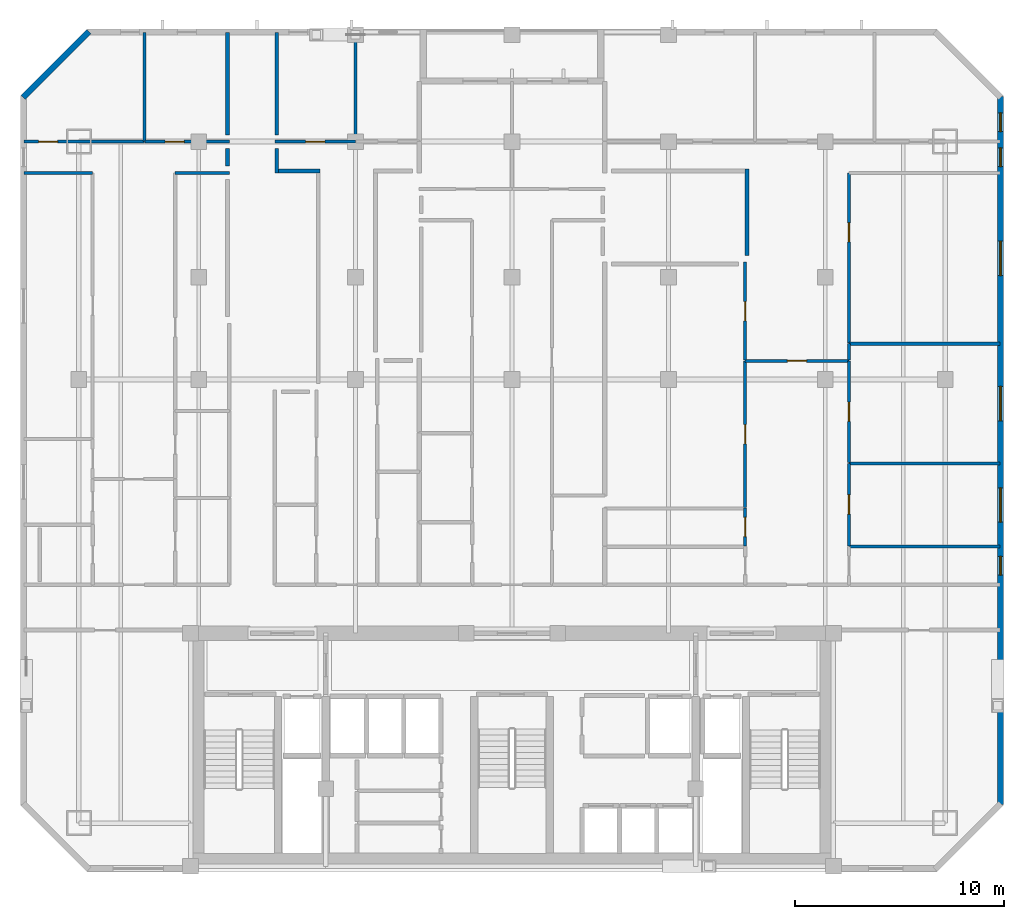
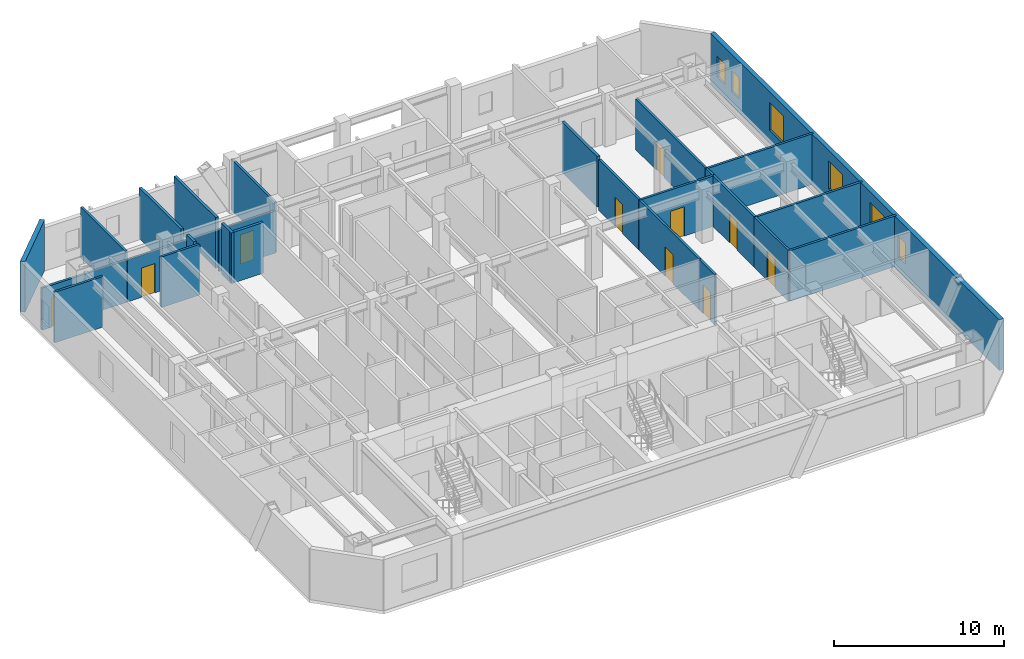
# One storey, part 6 of 9: 26 walls, 10 doors, 6 windows, 16 openings.
"""IFC4 building model written with IfcOpenShell, lengths in metres."""

from ifc_helpers import new_model, si_unit, direction, frame, frame_2d, origin, place, context, subcontext, project, spatial, rectangle, extrude, material, layer, layer_set, type_object, element, fill, save


model = new_model("IFC4")

# Units and contexts
model_context = context("Model", 3, precision=1e-05, world=origin(), true_north=direction((0.0, 1.0)))
body_context = subcontext(model_context, "Body", "Model", "MODEL_VIEW")
ifc_project = project(units=[si_unit("LENGTHUNIT", "METRE"), si_unit("AREAUNIT", "SQUARE_METRE"), si_unit("VOLUMEUNIT", "CUBIC_METRE"), si_unit("PLANEANGLEUNIT", "RADIAN"), si_unit("MASSUNIT", "GRAM", prefix="KILO")], contexts=[model_context])

# Site, building, storey
site_placement = place(None, origin())
site = spatial("IfcSite", under=ifc_project, at=site_placement, CompositionType="ELEMENT")
building_placement = place(site_placement, origin())
building = spatial("IfcBuilding", under=site, at=building_placement, Name="Ventersveld Concourse Tower", CompositionType="ELEMENT")
storey_placement = place(building_placement, frame((0.0, 0.0, 172.14990234375)))
storey = spatial("IfcBuildingStorey", under=building, at=storey_placement, Name="L42", CompositionType="ELEMENT", Elevation=172.14990234375)

# Walls
ifc_material_1 = material(Name="Fire-rated autoclaved aerated masonry blockwork", Category="masonry")
ifc_layer_1 = layer(ifc_material_1, 0.179931640625)
ifc_layer_set_1 = layer_set([ifc_layer_1], Name="Fire-rated autoclaved aerated masonry blockwork")
wall_type_1 = type_object("IfcWallType", Name="WL-CORR-180", PredefinedType="PARTITIONING", material=ifc_layer_set_1)
wall_1_placement = place(storey_placement, frame((15.1201171875, 34.675048828125, 0.0), z_axis=(0.0, 0.0, 1.0), x_axis=(0.0, -1.0, 0.0)))
element("IfcWall", 1, at=wall_1_placement, inside=storey, type_object=wall_type_1, Name="L42 Room Enclosure Wall SP-L42-42NW-LIV", PredefinedType="PARTITIONING", context=body_context, shape_type="SweptSolid", body=[
    extrude(rectangle(XDim=0.85009765625, YDim=0.179931640625, at=frame_2d((0.425048828125, 0.0))), origin(), (0.0, 0.0, 1.0), 3.630126953125),
])
wall_2_placement = place(storey_placement, frame((15.1201171875, 40.2275390625, 0.0), z_axis=(0.0, 0.0, 1.0), x_axis=(0.0, -1.0, 0.0)))
element("IfcWall", 2, at=wall_2_placement, inside=storey, type_object=wall_type_1, Name="L42 Room Enclosure Wall SP-L42-42NW-BR2", PredefinedType="PARTITIONING", context=body_context, shape_type="SweptSolid", body=[
    extrude(rectangle(XDim=4.902587890625, YDim=0.179931640625, at=frame_2d((2.451171875, 0.0))), origin(), (0.0, 0.0, 1.0), 3.630126953125),
])
wall_3_placement = place(storey_placement, frame((19.560791015625, 33.590087890625, 0.0), z_axis=(0.0, 0.0, 1.0), x_axis=(-1.0, 0.0, 0.0)))
element("IfcWall", 3, at=wall_3_placement, inside=storey, type_object=wall_type_1, Name="L42 Room Enclosure Wall SP-L42-42CW-LIV", PredefinedType="PARTITIONING", context=body_context, shape_type="SweptSolid", body=[
    extrude(rectangle(XDim=2.17578125, YDim=0.179931640625, at=frame_2d((1.087890625, 0.0))), origin(), (0.0, 0.0, 1.0), 3.630126953125),
])
wall_4_placement = place(storey_placement, frame((17.47998046875, 33.4951171875, 0.0), z_axis=(0.0, 0.0, 1.0), x_axis=(0.0, 1.0, 0.0)))
element("IfcWall", 4, at=wall_4_placement, inside=storey, type_object=wall_type_1, Name="L42 Room Enclosure Wall SP-L42-42CW-LIV", PredefinedType="PARTITIONING", context=body_context, shape_type="SweptSolid", body=[
    extrude(rectangle(XDim=1.179931640625, YDim=0.179931640625, at=frame_2d((0.58984375, 0.0))), origin(), (0.0, 0.0, 1.0), 3.630126953125),
])
wall_5_placement = place(storey_placement, frame((17.47998046875, 35.324951171875, 0.0), z_axis=(0.0, 0.0, 1.0), x_axis=(0.0, 1.0, 0.0)))
element("IfcWall", 5, at=wall_5_placement, inside=storey, type_object=wall_type_1, Name="L42 Room Enclosure Wall SP-L42-42CW-BR1", PredefinedType="PARTITIONING", context=body_context, shape_type="SweptSolid", body=[
    extrude(rectangle(XDim=4.902587890625, YDim=0.179931640625, at=frame_2d((2.451171875, 0.0))), origin(), (0.0, 0.0, 1.0), 3.630126953125),
])
wall_6_placement = place(storey_placement, frame((40.00537109375, 29.541259765625, 0.0), z_axis=(0.0, 0.0, 1.0), x_axis=(0.0, 1.0, 0.0)))
element("IfcWall", 6, at=wall_6_placement, inside=storey, type_object=wall_type_1, Name="L42 Room Enclosure Wall SP-L42-42CE-LIV", PredefinedType="PARTITIONING", context=body_context, shape_type="SweptSolid", body=[
    extrude(rectangle(XDim=4.143798828125, YDim=0.179931640625, at=frame_2d((2.07177734375, 0.0))), origin(), (0.0, 0.0, 1.0), 3.630126953125),
])
ifc_material_2 = material(Name="Autoclaved aerated masonry blockwork", Category="masonry")
ifc_layer_2 = layer(ifc_material_2, 0.14990234375)
ifc_layer_set_2 = layer_set([ifc_layer_2], Name="Autoclaved aerated masonry blockwork")
wall_type_2 = type_object("IfcWallType", Name="WL-INT-150", PredefinedType="PARTITIONING", material=ifc_layer_set_2)
wall_7_placement = place(storey_placement, frame((5.37255859375, 33.5, 0.0), z_axis=(0.0, 0.0, 1.0), x_axis=(1.0, 0.0, 0.0)))
element("IfcWall", 7, at=wall_7_placement, inside=storey, type_object=wall_type_2, Name="L42 Interior Partition SP-L42-42NW-LIV-SP-L42-42NW-MEDL2", PredefinedType="PARTITIONING", context=body_context, shape_type="SweptSolid", body=[
    extrude(rectangle(XDim=3.291259765625, YDim=0.14990234375, at=frame_2d((1.6455078125, 0.0))), origin(), (0.0, 0.0, 1.0), 3.630126953125),
])
wall_8_placement = place(storey_placement, frame((12.61376953125, 33.5, 0.0), z_axis=(0.0, 0.0, 1.0), x_axis=(1.0, 0.0, 0.0)))
element("IfcWall", 8, at=wall_8_placement, inside=storey, type_object=wall_type_2, Name="L42 Interior Partition SP-L42-42NW-LIV-SP-L42-42NW-DENR", PredefinedType="PARTITIONING", context=body_context, shape_type="SweptSolid", body=[
    extrude(rectangle(XDim=2.601318359375, YDim=0.14990234375, at=frame_2d((1.30078125, 0.0))), origin(), (0.0, 0.0, 1.0), 3.630126953125),
])

# Wall, opening, door
wall_9_placement = place(storey_placement, frame((5.37255859375, 35.0, 0.0), z_axis=(0.0, 0.0, 1.0), x_axis=(1.0, 0.0, 0.0)))
wall_9 = element("IfcWall", 9, at=wall_9_placement, inside=storey, type_object=wall_type_2, Name="L42 Interior Partition SP-L42-42NW-LIV-SP-L42-42NW-BR1", PredefinedType="PARTITIONING", context=body_context, shape_type="SweptSolid", body=[
    extrude(rectangle(XDim=5.771240234375, YDim=0.14990234375, at=frame_2d((2.8857421875, 0.0))), origin(), (0.0, 0.0, 1.0), 3.012939453125),
])
opening_1_placement = place(wall_9_placement, frame((0.6943359375, 0.0, 0.0)))
opening_1 = element("IfcOpeningElement", 10, at=opening_1_placement, cuts=wall_9, Name="Opening ID1", PredefinedType="OPENING", context=body_context, shape_type="SweptSolid", body=[
    extrude(rectangle(XDim=0.919921875, YDim=2.10009765625, at=frame_2d((0.4599609375, 1.050048828125))), frame((0.0, 0.0849609375, 0.0), z_axis=(0.0, -1.0, 0.0), x_axis=(1.0, 0.0, 0.0)), (0.0, 0.0, 1.0), 0.169921875),
])
ifc_material_3 = material(Name="Solid-core hardwood veneer timber", Category="wood")
door_type = type_object("IfcDoorType", Name="DR-ROOM-092", OperationType="NOTDEFINED", PredefinedType="DOOR", material=ifc_material_3)
door_1_placement = place(opening_1_placement, origin())
door_1 = element("IfcDoor", 11, at=door_1_placement, inside=storey, type_object=door_type, Name="L42 Interior Door SP-L42-42NW-LIV to SP-L42-42NW-BR1 (D-L42-2065)", OperationType="SINGLE_SWING_LEFT", OverallHeight=2.10009765625, OverallWidth=0.919921875, PredefinedType="DOOR", context=body_context, shape_type="SweptSolid", body=[
    extrude(rectangle(XDim=0.919921875, YDim=2.10009765625, at=frame_2d((0.4599609375, 1.050048828125))), frame((0.0, 0.02490234375, 0.0), z_axis=(0.0, -1.0, 0.0), x_axis=(1.0, 0.0, 0.0)), (0.0, 0.0, 1.0), 0.050048828125),
])
fill(opening_1, door_1)

wall_10_placement = place(storey_placement, frame((11.173828125, 35.0, 0.0), z_axis=(0.0, 0.0, 1.0), x_axis=(1.0, 0.0, 0.0)))
wall_10 = element("IfcWall", 12, at=wall_10_placement, inside=storey, type_object=wall_type_2, Name="L42 Interior Partition SP-L42-42NW-LIV-SP-L42-42NW-BR2", PredefinedType="PARTITIONING", context=body_context, shape_type="SweptSolid", body=[
    extrude(rectangle(XDim=4.041259765625, YDim=0.14990234375, at=frame_2d((2.0205078125, 0.0))), origin(), (0.0, 0.0, 1.0), 3.012939453125),
])
opening_2_placement = place(wall_10_placement, frame((0.954345703125, 0.0, 0.0)))
opening_2 = element("IfcOpeningElement", 13, at=opening_2_placement, cuts=wall_10, Name="Opening ID1", PredefinedType="OPENING", context=body_context, shape_type="SweptSolid", body=[
    extrude(rectangle(XDim=0.919921875, YDim=2.10009765625, at=frame_2d((0.4599609375, 1.050048828125))), frame((0.0, 0.0849609375, 0.0), z_axis=(0.0, -1.0, 0.0), x_axis=(1.0, 0.0, 0.0)), (0.0, 0.0, 1.0), 0.169921875),
])
door_2_placement = place(opening_2_placement, origin())
door_2 = element("IfcDoor", 14, at=door_2_placement, inside=storey, type_object=door_type, Name="L42 Interior Door SP-L42-42NW-LIV to SP-L42-42NW-BR2 (D-L42-2066)", OperationType="SINGLE_SWING_RIGHT", OverallHeight=2.10009765625, OverallWidth=0.919921875, PredefinedType="DOOR", context=body_context, shape_type="SweptSolid", body=[
    extrude(rectangle(XDim=0.919921875, YDim=2.10009765625, at=frame_2d((0.4599609375, 1.050048828125))), frame((0.0, 0.02490234375, 0.0), z_axis=(0.0, -1.0, 0.0), x_axis=(1.0, 0.0, 0.0)), (0.0, 0.0, 1.0), 0.050048828125),
])
fill(opening_2, door_2)

# Wall
wall_11_placement = place(storey_placement, frame((11.138916015625, 34.9951171875, 0.0), z_axis=(0.0, 0.0, 1.0), x_axis=(0.0, 1.0, 0.0)))
element("IfcWall", 15, at=wall_11_placement, inside=storey, type_object=wall_type_2, Name="L42 Interior Partition SP-L42-42NW-BR1-SP-L42-42NW-BR2", PredefinedType="PARTITIONING", context=body_context, shape_type="SweptSolid", body=[
    extrude(rectangle(XDim=5.232421875, YDim=0.14990234375, at=frame_2d((2.6162109375, 0.0))), origin(), (0.0, 0.0, 1.0), 3.630126953125),
])

# Wall, opening, door
wall_12_placement = place(storey_placement, frame((17.385009765625, 35.0, 0.0), z_axis=(0.0, 0.0, 1.0), x_axis=(1.0, 0.0, 0.0)))
wall_12 = element("IfcWall", 16, at=wall_12_placement, inside=storey, type_object=wall_type_2, Name="L42 Interior Partition SP-L42-42CW-LIV-SP-L42-42CW-BR1", PredefinedType="PARTITIONING", context=body_context, shape_type="SweptSolid", body=[
    extrude(rectangle(XDim=3.869873046875, YDim=0.14990234375, at=frame_2d((1.93505859375, 0.0))), origin(), (0.0, 0.0, 1.0), 3.012939453125),
])
opening_3_placement = place(wall_12_placement, frame((1.47509765625, 0.0, 0.0)))
opening_3 = element("IfcOpeningElement", 17, at=opening_3_placement, cuts=wall_12, Name="Opening ID1", PredefinedType="OPENING", context=body_context, shape_type="SweptSolid", body=[
    extrude(rectangle(XDim=0.919921875, YDim=2.10009765625, at=frame_2d((0.4599609375, 1.050048828125))), frame((0.0, 0.0849609375, 0.0), z_axis=(0.0, -1.0, 0.0), x_axis=(1.0, 0.0, 0.0)), (0.0, 0.0, 1.0), 0.169921875),
])
door_3_placement = place(opening_3_placement, origin())
door_3 = element("IfcDoor", 18, at=door_3_placement, inside=storey, type_object=door_type, Name="L42 Interior Door SP-L42-42CW-LIV to SP-L42-42CW-BR1 (D-L42-2071)", OperationType="SINGLE_SWING_LEFT", OverallHeight=2.10009765625, OverallWidth=0.919921875, PredefinedType="DOOR", context=body_context, shape_type="SweptSolid", body=[
    extrude(rectangle(XDim=0.919921875, YDim=2.10009765625, at=frame_2d((0.4599609375, 1.050048828125))), frame((0.0, 0.02490234375, 0.0), z_axis=(0.0, -1.0, 0.0), x_axis=(1.0, 0.0, 0.0)), (0.0, 0.0, 1.0), 0.050048828125),
])
fill(opening_3, door_3)

# Wall
wall_13_placement = place(storey_placement, frame((21.25, 34.9951171875, 0.0), z_axis=(0.0, 0.0, 1.0), x_axis=(0.0, 1.0, 0.0)))
element("IfcWall", 19, at=wall_13_placement, inside=storey, type_object=wall_type_2, Name="L42 Interior Partition SP-L42-42CW-BR1-SP-L42-42CW-BR2", PredefinedType="PARTITIONING", context=body_context, shape_type="SweptSolid", body=[
    extrude(rectangle(XDim=5.10693359375, YDim=0.14990234375, at=frame_2d((2.553466796875, 0.0))), origin(), (0.0, 0.0, 1.0), 3.630126953125),
])

# Wall, opening, door
wall_14_placement = place(storey_placement, frame((39.910400390625, 24.49072265625, 0.0), z_axis=(0.0, 0.0, 1.0), x_axis=(1.0, 0.0, 0.0)))
wall_14 = element("IfcWall", 20, at=wall_14_placement, inside=storey, type_object=wall_type_2, Name="L42 Interior Partition SP-L42-42CE-FOY-SP-L42-42CE-LIV", PredefinedType="PARTITIONING", context=body_context, shape_type="SweptSolid", body=[
    extrude(rectangle(XDim=4.989990234375, YDim=0.14990234375, at=frame_2d((2.4951171875, 0.0))), origin(), (0.0, 0.0, 1.0), 3.630126953125),
])
opening_4_placement = place(wall_14_placement, frame((2.034912109375, 0.0, 0.0)))
opening_4 = element("IfcOpeningElement", 21, at=opening_4_placement, cuts=wall_14, Name="Opening ID1", PredefinedType="OPENING", context=body_context, shape_type="SweptSolid", body=[
    extrude(rectangle(XDim=0.919921875, YDim=2.10009765625, at=frame_2d((0.4599609375, 1.050048828125))), frame((0.0, 0.0849609375, 0.0), z_axis=(0.0, -1.0, 0.0), x_axis=(1.0, 0.0, 0.0)), (0.0, 0.0, 1.0), 0.169921875),
])
door_4_placement = place(opening_4_placement, origin())
door_4 = element("IfcDoor", 22, at=door_4_placement, inside=storey, type_object=door_type, Name="L42 Interior Door SP-L42-42CE-FOY to SP-L42-42CE-LIV (D-L42-2073)", OperationType="SINGLE_SWING_LEFT", OverallHeight=2.10009765625, OverallWidth=0.919921875, PredefinedType="DOOR", context=body_context, shape_type="SweptSolid", body=[
    extrude(rectangle(XDim=0.919921875, YDim=2.10009765625, at=frame_2d((0.4599609375, 1.050048828125))), frame((0.0, 0.02490234375, 0.0), z_axis=(0.0, -1.0, 0.0), x_axis=(1.0, 0.0, 0.0)), (0.0, 0.0, 1.0), 0.050048828125),
])
fill(opening_4, door_4)

wall_15_placement = place(storey_placement, frame((39.915283203125, 15.635009765625, 0.0), z_axis=(0.0, 0.0, 1.0), x_axis=(0.0, 1.0, 0.0)))
wall_15 = element("IfcWall", 23, at=wall_15_placement, inside=storey, type_object=wall_type_2, Name="L42 Interior Partition SP-L42-42CE-FOY-SP-L42-42CE-PANL0", PredefinedType="PARTITIONING", context=body_context, shape_type="SweptSolid", body=[
    extrude(rectangle(XDim=1.800048828125, YDim=0.14990234375, at=frame_2d((0.89990234375, 0.0))), origin(), (0.0, 0.0, 1.0), 3.630126953125),
])
opening_5_placement = place(wall_15_placement, frame((0.43994140625, 0.0, 0.0)))
opening_5 = element("IfcOpeningElement", 24, at=opening_5_placement, cuts=wall_15, Name="Opening ID1", PredefinedType="OPENING", context=body_context, shape_type="SweptSolid", body=[
    extrude(rectangle(XDim=0.919921875, YDim=2.10009765625, at=frame_2d((0.4599609375, 1.050048828125))), frame((0.0, 0.0849609375, 0.0), z_axis=(0.0, -1.0, 0.0), x_axis=(1.0, 0.0, 0.0)), (0.0, 0.0, 1.0), 0.169921875),
])
door_5_placement = place(opening_5_placement, origin())
door_5 = element("IfcDoor", 25, at=door_5_placement, inside=storey, type_object=door_type, Name="L42 Interior Door SP-L42-42CE-FOY to SP-L42-42CE-PANL0 (D-L42-2075)", OperationType="SINGLE_SWING_LEFT", OverallHeight=2.10009765625, OverallWidth=0.919921875, PredefinedType="DOOR", context=body_context, shape_type="SweptSolid", body=[
    extrude(rectangle(XDim=0.919921875, YDim=2.10009765625, at=frame_2d((0.4599609375, 1.050048828125))), frame((0.0, 0.02490234375, 0.0), z_axis=(0.0, -1.0, 0.0), x_axis=(1.0, 0.0, 0.0)), (0.0, 0.0, 1.0), 0.050048828125),
])
fill(opening_5, door_5)

wall_16_placement = place(storey_placement, frame((39.915283203125, 17.465087890625, 0.0), z_axis=(0.0, 0.0, 1.0), x_axis=(0.0, 1.0, 0.0)))
wall_16 = element("IfcWall", 26, at=wall_16_placement, inside=storey, type_object=wall_type_2, Name="L42 Interior Partition SP-L42-42CE-FOY-SP-L42-42CE-DENL", PredefinedType="PARTITIONING", context=body_context, shape_type="SweptSolid", body=[
    extrude(rectangle(XDim=7.03076171875, YDim=0.14990234375, at=frame_2d((3.515380859375, 0.0))), origin(), (0.0, 0.0, 1.0), 3.630126953125),
])
opening_6_placement = place(wall_16_placement, frame((3.055419921875, 0.0, 0.0)))
opening_6 = element("IfcOpeningElement", 27, at=opening_6_placement, cuts=wall_16, Name="Opening ID1", PredefinedType="OPENING", context=body_context, shape_type="SweptSolid", body=[
    extrude(rectangle(XDim=0.919921875, YDim=2.10009765625, at=frame_2d((0.4599609375, 1.050048828125))), frame((0.0, 0.0849609375, 0.0), z_axis=(0.0, -1.0, 0.0), x_axis=(1.0, 0.0, 0.0)), (0.0, 0.0, 1.0), 0.169921875),
])
door_6_placement = place(opening_6_placement, origin())
door_6 = element("IfcDoor", 28, at=door_6_placement, inside=storey, type_object=door_type, Name="L42 Interior Door SP-L42-42CE-FOY to SP-L42-42CE-DENL (D-L42-2076)", OperationType="SINGLE_SWING_RIGHT", OverallHeight=2.10009765625, OverallWidth=0.919921875, PredefinedType="DOOR", context=body_context, shape_type="SweptSolid", body=[
    extrude(rectangle(XDim=0.919921875, YDim=2.10009765625, at=frame_2d((0.4599609375, 1.050048828125))), frame((0.0, 0.02490234375, 0.0), z_axis=(0.0, -1.0, 0.0), x_axis=(1.0, 0.0, 0.0)), (0.0, 0.0, 1.0), 0.050048828125),
])
fill(opening_6, door_6)

wall_17_placement = place(storey_placement, frame((44.895263671875, 15.635009765625, 0.0), z_axis=(0.0, 0.0, 1.0), x_axis=(0.0, 1.0, 0.0)))
wall_17 = element("IfcWall", 29, at=wall_17_placement, inside=storey, type_object=wall_type_2, Name="L42 Interior Partition SP-L42-42CE-FOY-SP-L42-42CE-MEDR1", PredefinedType="PARTITIONING", context=body_context, shape_type="SweptSolid", body=[
    extrude(rectangle(XDim=3.951904296875, YDim=0.14990234375, at=frame_2d((1.97607421875, 0.0))), origin(), (0.0, 0.0, 1.0), 3.630126953125),
])
opening_7_placement = place(wall_17_placement, frame((1.51611328125, 0.0, 0.0)))
opening_7 = element("IfcOpeningElement", 30, at=opening_7_placement, cuts=wall_17, Name="Opening ID1", PredefinedType="OPENING", context=body_context, shape_type="SweptSolid", body=[
    extrude(rectangle(XDim=0.919921875, YDim=2.10009765625, at=frame_2d((0.4599609375, 1.050048828125))), frame((0.0, 0.0849609375, 0.0), z_axis=(0.0, -1.0, 0.0), x_axis=(1.0, 0.0, 0.0)), (0.0, 0.0, 1.0), 0.169921875),
])
door_7_placement = place(opening_7_placement, origin())
door_7 = element("IfcDoor", 31, at=door_7_placement, inside=storey, type_object=door_type, Name="L42 Interior Door SP-L42-42CE-FOY to SP-L42-42CE-MEDR1 (D-L42-2078)", OperationType="SINGLE_SWING_RIGHT", OverallHeight=2.10009765625, OverallWidth=0.919921875, PredefinedType="DOOR", context=body_context, shape_type="SweptSolid", body=[
    extrude(rectangle(XDim=0.919921875, YDim=2.10009765625, at=frame_2d((0.4599609375, 1.050048828125))), frame((0.0, 0.02490234375, 0.0), z_axis=(0.0, -1.0, 0.0), x_axis=(1.0, 0.0, 0.0)), (0.0, 0.0, 1.0), 0.050048828125),
])
fill(opening_7, door_7)

wall_18_placement = place(storey_placement, frame((44.895263671875, 19.616943359375, 0.0), z_axis=(0.0, 0.0, 1.0), x_axis=(0.0, 1.0, 0.0)))
wall_18 = element("IfcWall", 32, at=wall_18_placement, inside=storey, type_object=wall_type_2, Name="L42 Interior Partition SP-L42-42CE-FOY-SP-L42-42CE-DENS", PredefinedType="PARTITIONING", context=body_context, shape_type="SweptSolid", body=[
    extrude(rectangle(XDim=4.87890625, YDim=0.14990234375, at=frame_2d((2.439453125, 0.0))), origin(), (0.0, 0.0, 1.0), 3.630126953125),
])
opening_8_placement = place(wall_18_placement, frame((1.9794921875, 0.0, 0.0)))
opening_8 = element("IfcOpeningElement", 33, at=opening_8_placement, cuts=wall_18, Name="Opening ID1", PredefinedType="OPENING", context=body_context, shape_type="SweptSolid", body=[
    extrude(rectangle(XDim=0.919921875, YDim=2.10009765625, at=frame_2d((0.4599609375, 1.050048828125))), frame((0.0, 0.0849609375, 0.0), z_axis=(0.0, -1.0, 0.0), x_axis=(1.0, 0.0, 0.0)), (0.0, 0.0, 1.0), 0.169921875),
])
door_8_placement = place(opening_8_placement, origin())
door_8 = element("IfcDoor", 34, at=door_8_placement, inside=storey, type_object=door_type, Name="L42 Interior Door SP-L42-42CE-FOY to SP-L42-42CE-DENS (D-L42-2079)", OperationType="SINGLE_SWING_LEFT", OverallHeight=2.10009765625, OverallWidth=0.919921875, PredefinedType="DOOR", context=body_context, shape_type="SweptSolid", body=[
    extrude(rectangle(XDim=0.919921875, YDim=2.10009765625, at=frame_2d((0.4599609375, 1.050048828125))), frame((0.0, 0.02490234375, 0.0), z_axis=(0.0, -1.0, 0.0), x_axis=(1.0, 0.0, 0.0)), (0.0, 0.0, 1.0), 0.050048828125),
])
fill(opening_8, door_8)

wall_19_placement = place(storey_placement, frame((39.915283203125, 24.52587890625, 0.0), z_axis=(0.0, 0.0, 1.0), x_axis=(0.0, 1.0, 0.0)))
wall_19 = element("IfcWall", 35, at=wall_19_placement, inside=storey, type_object=wall_type_2, Name="L42 Interior Partition SP-L42-42CE-LIV-SP-L42-42CE-DENL", PredefinedType="PARTITIONING", context=body_context, shape_type="SweptSolid", body=[
    extrude(rectangle(XDim=4.700439453125, YDim=0.14990234375, at=frame_2d((2.35009765625, 0.0))), origin(), (0.0, 0.0, 1.0), 3.630126953125),
])
opening_9_placement = place(wall_19_placement, frame((1.890380859375, 0.0, 0.0)))
opening_9 = element("IfcOpeningElement", 36, at=opening_9_placement, cuts=wall_19, Name="Opening ID1", PredefinedType="OPENING", context=body_context, shape_type="SweptSolid", body=[
    extrude(rectangle(XDim=0.919921875, YDim=2.10009765625, at=frame_2d((0.4599609375, 1.050048828125))), frame((0.0, 0.0849609375, 0.0), z_axis=(0.0, -1.0, 0.0), x_axis=(1.0, 0.0, 0.0)), (0.0, 0.0, 1.0), 0.169921875),
])
door_9_placement = place(opening_9_placement, origin())
door_9 = element("IfcDoor", 37, at=door_9_placement, inside=storey, type_object=door_type, Name="L42 Interior Door SP-L42-42CE-LIV to SP-L42-42CE-DENL (D-L42-2080)", OperationType="SINGLE_SWING_RIGHT", OverallHeight=2.10009765625, OverallWidth=0.919921875, PredefinedType="DOOR", context=body_context, shape_type="SweptSolid", body=[
    extrude(rectangle(XDim=0.919921875, YDim=2.10009765625, at=frame_2d((0.4599609375, 1.050048828125))), frame((0.0, 0.02490234375, 0.0), z_axis=(0.0, -1.0, 0.0), x_axis=(1.0, 0.0, 0.0)), (0.0, 0.0, 1.0), 0.050048828125),
])
fill(opening_9, door_9)

# Wall
wall_20_placement = place(storey_placement, frame((44.895263671875, 24.52587890625, 0.0), z_axis=(0.0, 0.0, 1.0), x_axis=(0.0, 1.0, 0.0)))
element("IfcWall", 38, at=wall_20_placement, inside=storey, type_object=wall_type_2, Name="L42 Interior Partition SP-L42-42CE-LIV-SP-L42-42CE-DENS", PredefinedType="PARTITIONING", context=body_context, shape_type="SweptSolid", body=[
    extrude(rectangle(XDim=0.792724609375, YDim=0.14990234375, at=frame_2d((0.396484375, 0.0))), origin(), (0.0, 0.0, 1.0), 3.630126953125),
])

# Wall, opening, door
wall_21_placement = place(storey_placement, frame((44.895263671875, 25.3486328125, 0.0), z_axis=(0.0, 0.0, 1.0), x_axis=(0.0, 1.0, 0.0)))
wall_21 = element("IfcWall", 39, at=wall_21_placement, inside=storey, type_object=wall_type_2, Name="L42 Interior Partition SP-L42-42CE-LIV-SP-L42-42CE-DENS2", PredefinedType="PARTITIONING", context=body_context, shape_type="SweptSolid", body=[
    extrude(rectangle(XDim=8.15625, YDim=0.14990234375, at=frame_2d((4.078125, 0.0))), origin(), (0.0, 0.0, 1.0), 3.630126953125),
])
opening_10_placement = place(wall_21_placement, frame((4.841796875, 0.0, 0.0)))
opening_10 = element("IfcOpeningElement", 40, at=opening_10_placement, cuts=wall_21, Name="Opening ID1", PredefinedType="OPENING", context=body_context, shape_type="SweptSolid", body=[
    extrude(rectangle(XDim=0.919921875, YDim=2.10009765625, at=frame_2d((0.4599609375, 1.050048828125))), frame((0.0, 0.0849609375, 0.0), z_axis=(0.0, -1.0, 0.0), x_axis=(1.0, 0.0, 0.0)), (0.0, 0.0, 1.0), 0.169921875),
])
door_10_placement = place(opening_10_placement, origin())
door_10 = element("IfcDoor", 41, at=door_10_placement, inside=storey, type_object=door_type, Name="L42 Interior Door SP-L42-42CE-LIV to SP-L42-42CE-DENS2 (D-L42-2081)", OperationType="SINGLE_SWING_LEFT", OverallHeight=2.10009765625, OverallWidth=0.919921875, PredefinedType="DOOR", context=body_context, shape_type="SweptSolid", body=[
    extrude(rectangle(XDim=0.919921875, YDim=2.10009765625, at=frame_2d((0.4599609375, 1.050048828125))), frame((0.0, 0.02490234375, 0.0), z_axis=(0.0, -1.0, 0.0), x_axis=(1.0, 0.0, 0.0)), (0.0, 0.0, 1.0), 0.050048828125),
])
fill(opening_10, door_10)

# Walls
for number, where, z_axis, x_axis, name in (
    (42, (44.890380859375, 15.60009765625, 0.0), (0.0, 0.0, 1.0), (1.0, 0.0, 0.0), "L42 Interior Partition SP-L42-42CE-KIT-SP-L42-42CE-MEDR1"),
    (43, (44.890380859375, 19.58203125, 0.0), (0.0, 0.0, 1.0), (1.0, 0.0, 0.0), "L42 Interior Partition SP-L42-42CE-MEDR1-SP-L42-42CE-DENS"),
    (44, (44.890380859375, 25.313720703125, 0.0), (0.0, 0.0, 1.0), (1.0, 0.0, 0.0), "L42 Interior Partition SP-L42-42CE-DENS-SP-L42-42CE-DENS2"),
):
    element("IfcWall", number, at=place(storey_placement, frame(where, z_axis=z_axis, x_axis=x_axis)), inside=storey, type_object=wall_type_2, Name=name, PredefinedType="PARTITIONING", context=body_context, shape_type="SweptSolid", body=[
        extrude(rectangle(XDim=7.237060546875, YDim=0.14990234375, at=frame_2d((3.61865234375, 0.0))), origin(), (0.0, 0.0, 1.0), 3.630126953125),
    ])

# Wall, openings, windows
ifc_material_4 = material(Name="Precast concrete C45/55", Category="concrete")
ifc_layer_3 = layer(ifc_material_4, 0.300048828125)
ifc_layer_set_3 = layer_set([ifc_layer_3], Name="Precast concrete C45/55")
wall_type_3 = type_object("IfcWallType", Name="WL-PREC-300", PredefinedType="SOLIDWALL", material=ifc_layer_set_3)
wall_22_placement = place(storey_placement, frame((52.14990234375, 3.239990234375, 0.0), z_axis=(0.0, 0.0, 1.0), x_axis=(0.0, 1.0, 0.0)))
wall_22 = element("IfcWall", 45, at=wall_22_placement, inside=storey, type_object=wall_type_3, Name="L42 Highveld Precast Facade Wall E03", PredefinedType="SOLIDWALL", context=body_context, shape_type="SweptSolid", body=[
    extrude(rectangle(XDim=33.919921875, YDim=0.300048828125, at=frame_2d((16.9599609375, 0.0))), origin(), (0.0, 0.0, 1.0), 3.630126953125),
])
opening_11_placement = place(wall_22_placement, frame((30.56005859375, 0.0, 0.949951171875)))
opening_11 = element("IfcOpeningElement", 46, at=opening_11_placement, cuts=wall_22, Name="Opening W4", PredefinedType="OPENING", context=body_context, shape_type="SweptSolid", body=[
    extrude(rectangle(XDim=0.89990234375, YDim=1.5, at=frame_2d((0.449951171875, 0.75))), frame((0.0, 0.16015625, 0.0), z_axis=(0.0, -1.0, 0.0), x_axis=(1.0, 0.0, 0.0)), (0.0, 0.0, 1.0), 0.320068359375),
])
opening_12_placement = place(wall_22_placement, frame((10.9951171875, 0.0, 0.949951171875)))
opening_12 = element("IfcOpeningElement", 47, at=opening_12_placement, cuts=wall_22, Name="Opening W4", PredefinedType="OPENING", context=body_context, shape_type="SweptSolid", body=[
    extrude(rectangle(XDim=0.89990234375, YDim=1.5, at=frame_2d((0.449951171875, 0.75))), frame((0.0, 0.16015625, 0.0), z_axis=(0.0, -1.0, 0.0), x_axis=(1.0, 0.0, 0.0)), (0.0, 0.0, 1.0), 0.320068359375),
])
opening_13_placement = place(wall_22_placement, frame((13.52587890625, 0.0, 0.8798828125)))
opening_13 = element("IfcOpeningElement", 48, at=opening_13_placement, cuts=wall_22, Name="Opening W6", PredefinedType="OPENING", context=body_context, shape_type="SweptSolid", body=[
    extrude(rectangle(XDim=1.64990234375, YDim=2.0, at=frame_2d((0.824951171875, 1.0))), frame((0.0, 0.16015625, 0.0), z_axis=(0.0, -1.0, 0.0), x_axis=(1.0, 0.0, 0.0)), (0.0, 0.0, 1.0), 0.320068359375),
])
opening_14_placement = place(wall_22_placement, frame((18.3828125, 0.0, 0.8798828125)))
opening_14 = element("IfcOpeningElement", 49, at=opening_14_placement, cuts=wall_22, Name="Opening W6", PredefinedType="OPENING", context=body_context, shape_type="SweptSolid", body=[
    extrude(rectangle(XDim=1.64990234375, YDim=2.0, at=frame_2d((0.824951171875, 1.0))), frame((0.0, 0.16015625, 0.0), z_axis=(0.0, -1.0, 0.0), x_axis=(1.0, 0.0, 0.0)), (0.0, 0.0, 1.0), 0.320068359375),
])
opening_15_placement = place(wall_22_placement, frame((25.341796875, 0.0, 0.8798828125)))
opening_15 = element("IfcOpeningElement", 50, at=opening_15_placement, cuts=wall_22, Name="Opening W6", PredefinedType="OPENING", context=body_context, shape_type="SweptSolid", body=[
    extrude(rectangle(XDim=1.64990234375, YDim=2.0, at=frame_2d((0.824951171875, 1.0))), frame((0.0, 0.16015625, 0.0), z_axis=(0.0, -1.0, 0.0), x_axis=(1.0, 0.0, 0.0)), (0.0, 0.0, 1.0), 0.320068359375),
])
opening_16_placement = place(wall_22_placement, frame((32.239990234375, 0.0, 0.949951171875)))
opening_16 = element("IfcOpeningElement", 51, at=opening_16_placement, cuts=wall_22, Name="Opening W4", PredefinedType="OPENING", context=body_context, shape_type="SweptSolid", body=[
    extrude(rectangle(XDim=0.89990234375, YDim=1.5, at=frame_2d((0.449951171875, 0.75))), frame((0.0, 0.16015625, 0.0), z_axis=(0.0, -1.0, 0.0), x_axis=(1.0, 0.0, 0.0)), (0.0, 0.0, 1.0), 0.320068359375),
])
ifc_material_5 = material(Name="Tempered acoustic Low-E IGU", Category="glass")
window_type_1 = type_object("IfcWindowType", Name="WIN-090x150", PartitioningType="SINGLE_PANEL", PredefinedType="WINDOW", material=ifc_material_5)
window_1_placement = place(opening_11_placement, origin())
window_1 = element("IfcWindow", 52, at=window_1_placement, inside=storey, type_object=window_type_1, Name="L42 Punched Low-E Window W-0572", OverallHeight=1.5, OverallWidth=0.89990234375, PartitioningType="SINGLE_PANEL", PredefinedType="WINDOW", context=body_context, shape_type="SweptSolid", body=[
    extrude(rectangle(XDim=0.89990234375, YDim=1.5, at=frame_2d((0.449951171875, 0.75))), frame((0.0, 0.030029296875, 0.0), z_axis=(0.0, -1.0, 0.0), x_axis=(1.0, 0.0, 0.0)), (0.0, 0.0, 1.0), 0.06005859375),
])
fill(opening_11, window_1)
window_2_placement = place(opening_12_placement, origin())
window_2 = element("IfcWindow", 53, at=window_2_placement, inside=storey, type_object=window_type_1, Name="L42 Punched Low-E Window W-0573", OverallHeight=1.5, OverallWidth=0.89990234375, PartitioningType="SINGLE_PANEL", PredefinedType="WINDOW", context=body_context, shape_type="SweptSolid", body=[
    extrude(rectangle(XDim=0.89990234375, YDim=1.5, at=frame_2d((0.449951171875, 0.75))), frame((0.0, 0.030029296875, 0.0), z_axis=(0.0, -1.0, 0.0), x_axis=(1.0, 0.0, 0.0)), (0.0, 0.0, 1.0), 0.06005859375),
])
fill(opening_12, window_2)
window_3_placement = place(opening_16_placement, origin())
window_3 = element("IfcWindow", 54, at=window_3_placement, inside=storey, type_object=window_type_1, Name="L42 Punched Low-E Window W-0579", OverallHeight=1.5, OverallWidth=0.89990234375, PartitioningType="SINGLE_PANEL", PredefinedType="WINDOW", context=body_context, shape_type="SweptSolid", body=[
    extrude(rectangle(XDim=0.89990234375, YDim=1.5, at=frame_2d((0.449951171875, 0.75))), frame((0.0, 0.030029296875, 0.0), z_axis=(0.0, -1.0, 0.0), x_axis=(1.0, 0.0, 0.0)), (0.0, 0.0, 1.0), 0.06005859375),
])
fill(opening_16, window_3)
window_type_2 = type_object("IfcWindowType", Name="WIN-165x200", PartitioningType="SINGLE_PANEL", PredefinedType="WINDOW", material=ifc_material_5)
window_4_placement = place(opening_13_placement, origin())
window_4 = element("IfcWindow", 55, at=window_4_placement, inside=storey, type_object=window_type_2, Name="L42 Punched Low-E Window W-0574", OverallHeight=2.0, OverallWidth=1.64990234375, PartitioningType="SINGLE_PANEL", PredefinedType="WINDOW", context=body_context, shape_type="SweptSolid", body=[
    extrude(rectangle(XDim=1.64990234375, YDim=2.0, at=frame_2d((0.824951171875, 1.0))), frame((0.0, 0.030029296875, 0.0), z_axis=(0.0, -1.0, 0.0), x_axis=(1.0, 0.0, 0.0)), (0.0, 0.0, 1.0), 0.06005859375),
])
fill(opening_13, window_4)
window_5_placement = place(opening_14_placement, origin())
window_5 = element("IfcWindow", 56, at=window_5_placement, inside=storey, type_object=window_type_2, Name="L42 Punched Low-E Window W-0575", OverallHeight=2.0, OverallWidth=1.64990234375, PartitioningType="SINGLE_PANEL", PredefinedType="WINDOW", context=body_context, shape_type="SweptSolid", body=[
    extrude(rectangle(XDim=1.64990234375, YDim=2.0, at=frame_2d((0.824951171875, 1.0))), frame((0.0, 0.030029296875, 0.0), z_axis=(0.0, -1.0, 0.0), x_axis=(1.0, 0.0, 0.0)), (0.0, 0.0, 1.0), 0.06005859375),
])
fill(opening_14, window_5)
window_6_placement = place(opening_15_placement, origin())
window_6 = element("IfcWindow", 57, at=window_6_placement, inside=storey, type_object=window_type_2, Name="L42 Punched Low-E Window W-0576", OverallHeight=2.0, OverallWidth=1.64990234375, PartitioningType="SINGLE_PANEL", PredefinedType="WINDOW", context=body_context, shape_type="SweptSolid", body=[
    extrude(rectangle(XDim=1.64990234375, YDim=2.0, at=frame_2d((0.824951171875, 1.0))), frame((0.0, 0.030029296875, 0.0), z_axis=(0.0, -1.0, 0.0), x_axis=(1.0, 0.0, 0.0)), (0.0, 0.0, 1.0), 0.06005859375),
])
fill(opening_15, window_6)

# Wall
wall_23_placement = place(storey_placement, frame((8.477783203125, 40.265625, 0.0), z_axis=(0.0, 0.0, 1.0), x_axis=(-0.707106781187, -0.707106781187, 0.0)))
element("IfcWall", 58, at=wall_23_placement, inside=storey, type_object=wall_type_3, Name="L42 Highveld Precast Facade Wall E10", PredefinedType="SOLIDWALL", context=body_context, shape_type="SweptSolid", body=[
    extrude(rectangle(XDim=4.4453125, YDim=0.300048828125, at=frame_2d((2.22265625, 0.0))), origin(), (0.0, 0.0, 1.0), 3.630126953125),
])

save(model, "model.ifc")
